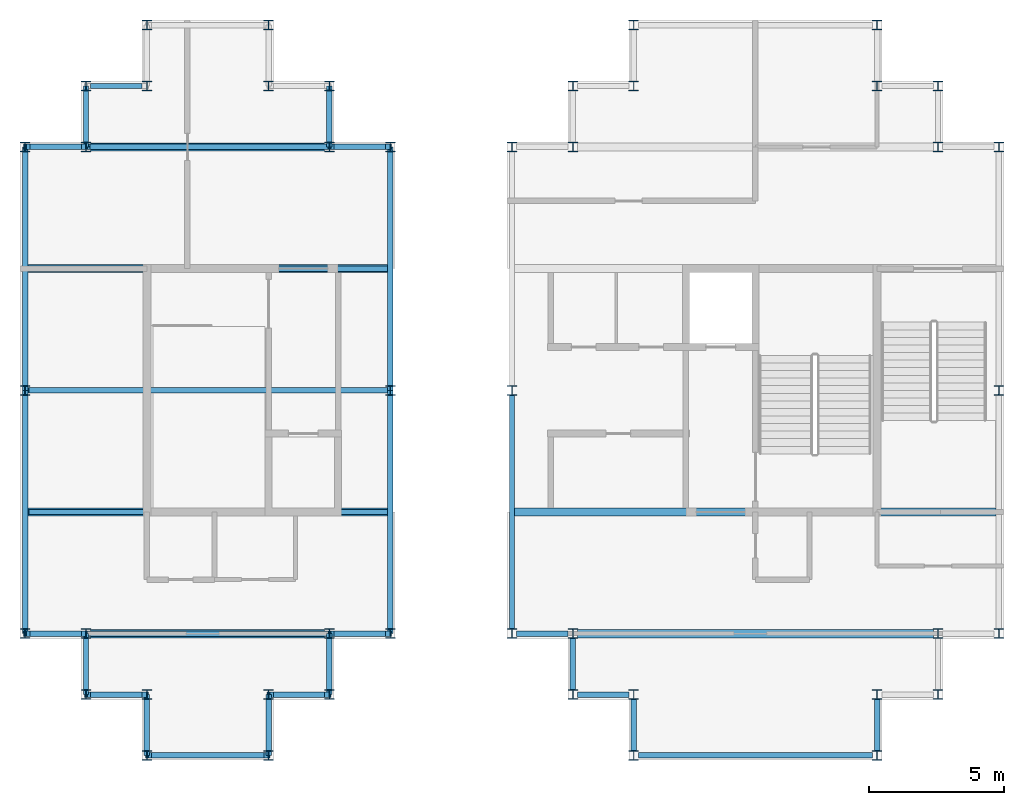
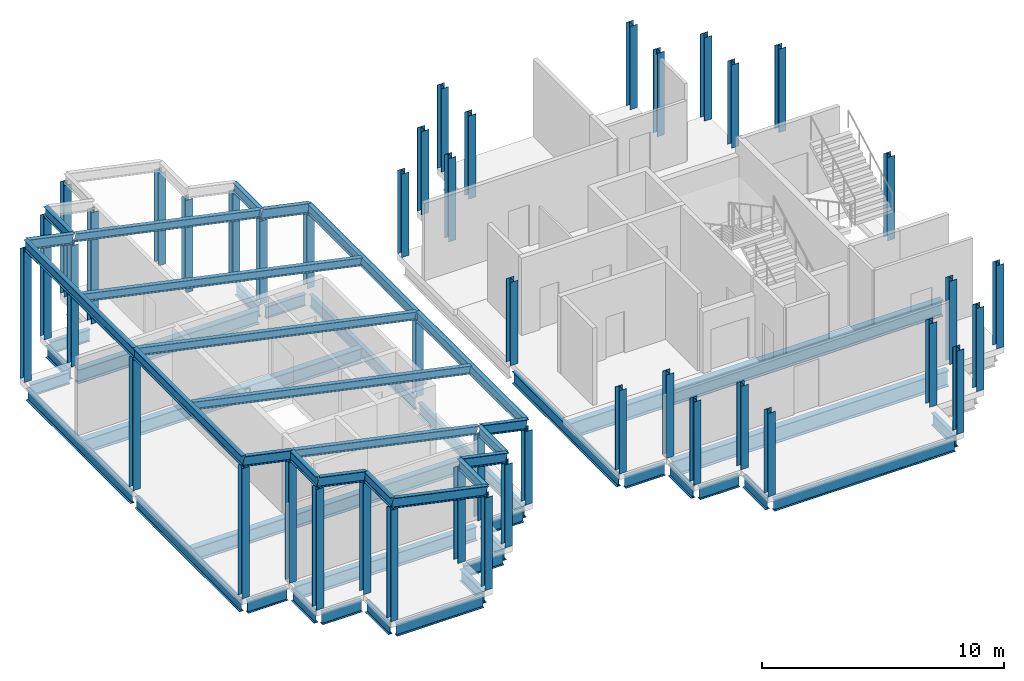
# One storey, part 1 of 6: 48 beams, 44 columns, 5 members.
"""IFC4 building model written with IfcOpenShell, lengths in metres."""

from ifc_helpers import new_model, si_unit, direction, frame, origin, origin_2d, place, context, subcontext, project, spatial, i_section, extrude, material, material_profile, profile_set, type_object, element, save


model = new_model("IFC4")

# Units and contexts
model_context = context("Model", 3, precision=1e-05, world=origin(), true_north=direction((0.0, 1.0)))
body_context = subcontext(model_context, "Body", "Model", "MODEL_VIEW")
ifc_project = project(units=[si_unit("LENGTHUNIT", "METRE"), si_unit("AREAUNIT", "SQUARE_METRE"), si_unit("VOLUMEUNIT", "CUBIC_METRE"), si_unit("PLANEANGLEUNIT", "RADIAN"), si_unit("MASSUNIT", "GRAM", prefix="KILO")], contexts=[model_context])

# Site, building, storey
site_placement = place(None, origin())
site = spatial("IfcSite", under=ifc_project, at=site_placement, CompositionType="ELEMENT")
building_placement = place(site_placement, origin())
building = spatial("IfcBuilding", under=site, at=building_placement, Name="Caravel Reach Hotel and Residences", CompositionType="ELEMENT")
storey_placement = place(building_placement, frame((0.0, 0.0, 321.199951171875)))
storey = spatial("IfcBuildingStorey", under=building, at=storey_placement, Name="L81", CompositionType="ELEMENT", Elevation=321.199951171875)

# Columns
ifc_material_1 = material(Name="Structural steel Q355B", Category="steel")
ifc_material_profile_1 = material_profile(ifc_material_1, i_section(OverallWidth=0.35009765625, OverallDepth=0.35009765625, WebThickness=0.011962890625, FlangeThickness=0.01904296875, FilletRadius=0.012939453125, at=origin_2d()), Name="HW 350x350x12x19")
ifc_profile_set_1 = profile_set([ifc_material_profile_1], Name="Structural steel Q355B")
column_type = type_object("IfcColumnType", Name="Crown column HW 350x350x12x19", PredefinedType="COLUMN", material=ifc_profile_set_1)
for number, where, z_axis, x_axis, name in (
    (1, (45.0, 13.5, 0.0), (0.0, 0.0, 1.0), (1.0, 0.0, 0.0), "C19 column"),
    (2, (45.0, 15.75, 0.0), (0.0, 0.0, 1.0), (1.0, 0.0, 0.0), "C19 column"),
    (3, (47.25, 15.75, 0.0), (0.0, 0.0, 1.0), (1.0, 0.0, 0.0), "C19 column"),
    (4, (47.25, 18.0, 0.0), (0.0, 0.0, 1.0), (1.0, 0.0, 0.0), "C19 column"),
    (5, (49.5, 18.0, 0.0), (0.0, 0.0, 1.0), (1.0, 0.0, 0.0), "C19 column"),
    (6, (49.5, 27.0, 0.0), (0.0, 0.0, 1.0), (1.0, 0.0, 0.0), "C19 column"),
    (7, (49.5, 36.0, 0.0), (0.0, 0.0, 1.0), (1.0, 0.0, 0.0), "C19 column"),
    (8, (47.25, 36.0, 0.0), (0.0, 0.0, 1.0), (1.0, 0.0, 0.0), "C19 column"),
    (9, (47.25, 38.25, 0.0), (0.0, 0.0, 1.0), (1.0, 0.0, 0.0), "C19 column"),
    (10, (45.0, 38.25, 0.0), (0.0, 0.0, 1.0), (1.0, 0.0, 0.0), "C19 column"),
    (11, (45.0, 40.5, 0.0), (0.0, 0.0, 1.0), (1.0, 0.0, 0.0), "C19 column"),
    (12, (36.0, 40.5, 0.0), (0.0, 0.0, 1.0), (1.0, 0.0, 0.0), "C19 column"),
    (13, (36.0, 38.25, 0.0), (0.0, 0.0, 1.0), (1.0, 0.0, 0.0), "C19 column"),
    (14, (33.75, 38.25, 0.0), (0.0, 0.0, 1.0), (1.0, 0.0, 0.0), "C19 column"),
    (15, (33.75, 36.0, 0.0), (0.0, 0.0, 1.0), (1.0, 0.0, 0.0), "C19 column"),
    (16, (31.5, 36.0, 0.0), (0.0, 0.0, 1.0), (1.0, 0.0, 0.0), "C19 column"),
    (17, (31.5, 27.0, 0.0), (0.0, 0.0, 1.0), (1.0, 0.0, 0.0), "C19 column"),
    (18, (31.5, 18.0, 0.0), (0.0, 0.0, 1.0), (1.0, 0.0, 0.0), "C19 column"),
    (19, (33.75, 18.0, 0.0), (0.0, 0.0, 1.0), (1.0, 0.0, 0.0), "C19 column"),
    (20, (33.75, 15.75, 0.0), (0.0, 0.0, 1.0), (1.0, 0.0, 0.0), "C19 column"),
    (21, (36.0, 15.75, 0.0), (0.0, 0.0, 1.0), (1.0, 0.0, 0.0), "C19 column"),
    (22, (36.0, 13.5, 0.0), (0.0, 0.0, 1.0), (1.0, 0.0, 0.0), "C19 column"),
):
    element("IfcColumn", number, at=place(storey_placement, frame(where, z_axis=z_axis, x_axis=x_axis)), inside=storey, type_object=column_type, Name=name, PredefinedType="COLUMN", context=body_context, shape_type="SweptSolid", body=[
        extrude(i_section(OverallWidth=0.35009765625, OverallDepth=0.35009765625, WebThickness=0.011962890625, FlangeThickness=0.01904296875, FilletRadius=0.012939453125, at=origin_2d()), origin(), (0.0, 0.0, 1.0), 4.199951171875),
    ])
for number, where, z_axis, x_axis, name in (
    (23, (22.5, 13.5, 0.0), (0.0, 0.0, 1.0), (1.0, 0.0, 0.0), "C19 column"),
    (24, (22.5, 15.75, 0.0), (0.0, 0.0, 1.0), (1.0, 0.0, 0.0), "C19 column"),
):
    element("IfcColumn", number, at=place(storey_placement, frame(where, z_axis=z_axis, x_axis=x_axis)), inside=storey, type_object=column_type, Name=name, PredefinedType="COLUMN", context=body_context, shape_type="SweptSolid", body=[
        extrude(i_section(OverallWidth=0.35009765625, OverallDepth=0.35009765625, WebThickness=0.011962890625, FlangeThickness=0.01904296875, FilletRadius=0.012939453125, at=origin_2d()), origin(), (0.0, 0.0, 1.0), 4.656494140625),
    ])
for number, where, z_axis, x_axis, name in (
    (25, (24.75, 15.75, 0.0), (0.0, 0.0, 1.0), (1.0, 0.0, 0.0), "C19 column"),
    (26, (24.75, 18.0, 0.0), (0.0, 0.0, 1.0), (1.0, 0.0, 0.0), "C19 column"),
):
    element("IfcColumn", number, at=place(storey_placement, frame(where, z_axis=z_axis, x_axis=x_axis)), inside=storey, type_object=column_type, Name=name, PredefinedType="COLUMN", context=body_context, shape_type="SweptSolid", body=[
        extrude(i_section(OverallWidth=0.35009765625, OverallDepth=0.35009765625, WebThickness=0.011962890625, FlangeThickness=0.01904296875, FilletRadius=0.012939453125, at=origin_2d()), origin(), (0.0, 0.0, 1.0), 4.178466796875),
    ])
for number, where, z_axis, x_axis, name in (
    (27, (27.0, 18.0, 0.0), (0.0, 0.0, 1.0), (1.0, 0.0, 0.0), "C19 column"),
    (28, (27.0, 27.0, 0.0), (0.0, 0.0, 1.0), (1.0, 0.0, 0.0), "C19 column"),
    (29, (27.0, 36.0, 0.0), (0.0, 0.0, 1.0), (1.0, 0.0, 0.0), "C19 column"),
):
    element("IfcColumn", number, at=place(storey_placement, frame(where, z_axis=z_axis, x_axis=x_axis)), inside=storey, type_object=column_type, Name=name, PredefinedType="COLUMN", context=body_context, shape_type="SweptSolid", body=[
        extrude(i_section(OverallWidth=0.35009765625, OverallDepth=0.35009765625, WebThickness=0.011962890625, FlangeThickness=0.01904296875, FilletRadius=0.012939453125, at=origin_2d()), origin(), (0.0, 0.0, 1.0), 3.699951171875),
    ])
for number, where, z_axis, x_axis, name in (
    (30, (24.75, 36.0, 0.0), (0.0, 0.0, 1.0), (1.0, 0.0, 0.0), "C19 column"),
    (31, (24.75, 38.25, 0.0), (0.0, 0.0, 1.0), (1.0, 0.0, 0.0), "C19 column"),
):
    element("IfcColumn", number, at=place(storey_placement, frame(where, z_axis=z_axis, x_axis=x_axis)), inside=storey, type_object=column_type, Name=name, PredefinedType="COLUMN", context=body_context, shape_type="SweptSolid", body=[
        extrude(i_section(OverallWidth=0.35009765625, OverallDepth=0.35009765625, WebThickness=0.011962890625, FlangeThickness=0.01904296875, FilletRadius=0.012939453125, at=origin_2d()), origin(), (0.0, 0.0, 1.0), 4.178466796875),
    ])
for number, where, z_axis, x_axis, name in (
    (32, (22.5, 38.25, 0.0), (0.0, 0.0, 1.0), (1.0, 0.0, 0.0), "C19 column"),
    (33, (22.5, 40.5, 0.0), (0.0, 0.0, 1.0), (1.0, 0.0, 0.0), "C19 column"),
):
    element("IfcColumn", number, at=place(storey_placement, frame(where, z_axis=z_axis, x_axis=x_axis)), inside=storey, type_object=column_type, Name=name, PredefinedType="COLUMN", context=body_context, shape_type="SweptSolid", body=[
        extrude(i_section(OverallWidth=0.35009765625, OverallDepth=0.35009765625, WebThickness=0.011962890625, FlangeThickness=0.01904296875, FilletRadius=0.012939453125, at=origin_2d()), origin(), (0.0, 0.0, 1.0), 4.656494140625),
    ])
for number, where, z_axis, x_axis, name in (
    (34, (18.0, 40.5, 0.0), (0.0, 0.0, 1.0), (1.0, 0.0, 0.0), "C19 column"),
    (35, (18.0, 38.25, 0.0), (0.0, 0.0, 1.0), (1.0, 0.0, 0.0), "C19 column"),
):
    element("IfcColumn", number, at=place(storey_placement, frame(where, z_axis=z_axis, x_axis=x_axis)), inside=storey, type_object=column_type, Name=name, PredefinedType="COLUMN", context=body_context, shape_type="SweptSolid", body=[
        extrude(i_section(OverallWidth=0.35009765625, OverallDepth=0.35009765625, WebThickness=0.011962890625, FlangeThickness=0.01904296875, FilletRadius=0.012939453125, at=origin_2d()), origin(), (0.0, 0.0, 1.0), 5.613037109375),
    ])
for number, where, z_axis, x_axis, name in (
    (36, (15.75, 38.25, 0.0), (0.0, 0.0, 1.0), (1.0, 0.0, 0.0), "C19 column"),
    (37, (15.75, 36.0, 0.0), (0.0, 0.0, 1.0), (1.0, 0.0, 0.0), "C19 column"),
):
    element("IfcColumn", number, at=place(storey_placement, frame(where, z_axis=z_axis, x_axis=x_axis)), inside=storey, type_object=column_type, Name=name, PredefinedType="COLUMN", context=body_context, shape_type="SweptSolid", body=[
        extrude(i_section(OverallWidth=0.35009765625, OverallDepth=0.35009765625, WebThickness=0.011962890625, FlangeThickness=0.01904296875, FilletRadius=0.012939453125, at=origin_2d()), origin(), (0.0, 0.0, 1.0), 6.09130859375),
    ])
for number, where, z_axis, x_axis, name in (
    (38, (13.5, 36.0, 0.0), (0.0, 0.0, 1.0), (1.0, 0.0, 0.0), "C19 column"),
    (39, (13.5, 27.0, 0.0), (0.0, 0.0, 1.0), (1.0, 0.0, 0.0), "C19 column"),
    (40, (13.5, 18.0, 0.0), (0.0, 0.0, 1.0), (1.0, 0.0, 0.0), "C19 column"),
):
    element("IfcColumn", number, at=place(storey_placement, frame(where, z_axis=z_axis, x_axis=x_axis)), inside=storey, type_object=column_type, Name=name, PredefinedType="COLUMN", context=body_context, shape_type="SweptSolid", body=[
        extrude(i_section(OverallWidth=0.35009765625, OverallDepth=0.35009765625, WebThickness=0.011962890625, FlangeThickness=0.01904296875, FilletRadius=0.012939453125, at=origin_2d()), origin(), (0.0, 0.0, 1.0), 6.569580078125),
    ])
for number, where, z_axis, x_axis, name in (
    (41, (15.75, 18.0, 0.0), (0.0, 0.0, 1.0), (1.0, 0.0, 0.0), "C19 column"),
    (42, (15.75, 15.75, 0.0), (0.0, 0.0, 1.0), (1.0, 0.0, 0.0), "C19 column"),
):
    element("IfcColumn", number, at=place(storey_placement, frame(where, z_axis=z_axis, x_axis=x_axis)), inside=storey, type_object=column_type, Name=name, PredefinedType="COLUMN", context=body_context, shape_type="SweptSolid", body=[
        extrude(i_section(OverallWidth=0.35009765625, OverallDepth=0.35009765625, WebThickness=0.011962890625, FlangeThickness=0.01904296875, FilletRadius=0.012939453125, at=origin_2d()), origin(), (0.0, 0.0, 1.0), 6.09130859375),
    ])
for number, where, z_axis, x_axis, name in (
    (43, (18.0, 15.75, 0.0), (0.0, 0.0, 1.0), (1.0, 0.0, 0.0), "C19 column"),
    (44, (18.0, 13.5, 0.0), (0.0, 0.0, 1.0), (1.0, 0.0, 0.0), "C19 column"),
):
    element("IfcColumn", number, at=place(storey_placement, frame(where, z_axis=z_axis, x_axis=x_axis)), inside=storey, type_object=column_type, Name=name, PredefinedType="COLUMN", context=body_context, shape_type="SweptSolid", body=[
        extrude(i_section(OverallWidth=0.35009765625, OverallDepth=0.35009765625, WebThickness=0.011962890625, FlangeThickness=0.01904296875, FilletRadius=0.012939453125, at=origin_2d()), origin(), (0.0, 0.0, 1.0), 5.613037109375),
    ])

# Beams
ifc_material_2 = material(Name="Structural steel Q355B", Category="steel")
ifc_material_profile_2 = material_profile(ifc_material_2, i_section(OverallWidth=0.300048828125, OverallDepth=0.699951171875, WebThickness=0.012939453125, FlangeThickness=0.02392578125, FilletRadius=0.01806640625, at=origin_2d()), Name="HN 700x300x13x24")
ifc_profile_set_2 = profile_set([ifc_material_profile_2], Name="Structural steel Q355B")
beam_type_1 = type_object("IfcBeamType", Name="Beam HN 700x300x13x24", PredefinedType="BEAM", material=ifc_profile_set_2)
beam_1_placement = place(storey_placement, frame((15.925048828125, 18.0, -0.64990234375), z_axis=(1.0, 0.0, 0.0), x_axis=(0.0, 1.0, 0.0)))
element("IfcBeam", 45, at=beam_1_placement, inside=storey, type_object=beam_type_1, Name="B2 HN 700x300x13x24", PredefinedType="BEAM", context=body_context, shape_type="SweptSolid", body=[
    extrude(i_section(OverallWidth=0.300048828125, OverallDepth=0.699951171875, WebThickness=0.012939453125, FlangeThickness=0.02392578125, FilletRadius=0.01806640625, at=origin_2d()), origin(), (0.0, 0.0, 1.0), 8.64990234375),
])
for number, where, z_axis, x_axis, name in (
    (46, (13.60009765625, 22.5, -0.64990234375), (1.0, 0.0, 0.0), (0.0, 1.0, 0.0), "B2 HN 700x300x13x24"),
    (47, (13.60009765625, 31.5, -0.64990234375), (1.0, 0.0, 0.0), (0.0, 1.0, 0.0), "B2 HN 700x300x13x24"),
):
    element("IfcBeam", number, at=place(storey_placement, frame(where, z_axis=z_axis, x_axis=x_axis)), inside=storey, type_object=beam_type_1, Name=name, PredefinedType="BEAM", context=body_context, shape_type="SweptSolid", body=[
        extrude(i_section(OverallWidth=0.300048828125, OverallDepth=0.699951171875, WebThickness=0.012939453125, FlangeThickness=0.02392578125, FilletRadius=0.01806640625, at=origin_2d()), origin(), (0.0, 0.0, 1.0), 13.2998046875),
    ])
beam_2_placement = place(storey_placement, frame((15.925048828125, 36.0, -0.64990234375), z_axis=(1.0, 0.0, 0.0), x_axis=(0.0, 1.0, 0.0)))
element("IfcBeam", 48, at=beam_2_placement, inside=storey, type_object=beam_type_1, Name="B2 HN 700x300x13x24", PredefinedType="BEAM", context=body_context, shape_type="SweptSolid", body=[
    extrude(i_section(OverallWidth=0.300048828125, OverallDepth=0.699951171875, WebThickness=0.012939453125, FlangeThickness=0.02392578125, FilletRadius=0.01806640625, at=origin_2d()), origin(), (0.0, 0.0, 1.0), 8.64990234375),
])
ifc_material_3 = material(Name="Structural steel Q355B", Category="steel")
ifc_material_profile_3 = material_profile(ifc_material_3, i_section(OverallWidth=0.300048828125, OverallDepth=0.800048828125, WebThickness=0.013916015625, FlangeThickness=0.02587890625, FilletRadius=0.01806640625, at=origin_2d()), Name="HN 800x300x14x26")
ifc_profile_set_3 = profile_set([ifc_material_profile_3], Name="Structural steel Q355B")
beam_type_2 = type_object("IfcBeamType", Name="Beam HN 800x300x14x26", PredefinedType="BEAM", material=ifc_profile_set_3)
beam_3_placement = place(storey_placement, frame((33.925048828125, 18.0, -0.699951171875), z_axis=(1.0, 0.0, 0.0), x_axis=(0.0, 1.0, 0.0)))
element("IfcBeam", 49, at=beam_3_placement, inside=storey, type_object=beam_type_2, Name="B4 HN 800x300x14x26", PredefinedType="BEAM", context=body_context, shape_type="SweptSolid", body=[
    extrude(i_section(OverallWidth=0.300048828125, OverallDepth=0.800048828125, WebThickness=0.013916015625, FlangeThickness=0.02587890625, FilletRadius=0.01806640625, at=origin_2d()), origin(), (0.0, 0.0, 1.0), 13.14990234375),
])
beam_4_placement = place(storey_placement, frame((31.60009765625, 22.5, -0.699951171875), z_axis=(1.0, 0.0, 0.0), x_axis=(0.0, 1.0, 0.0)))
element("IfcBeam", 50, at=beam_4_placement, inside=storey, type_object=beam_type_2, Name="B4 HN 800x300x14x26", PredefinedType="BEAM", context=body_context, shape_type="SweptSolid", body=[
    extrude(i_section(OverallWidth=0.300048828125, OverallDepth=0.800048828125, WebThickness=0.013916015625, FlangeThickness=0.02587890625, FilletRadius=0.01806640625, at=origin_2d()), origin(), (0.0, 0.0, 1.0), 17.7998046875),
])
ifc_material_4 = material(Name="Structural steel Q355B", Category="steel")
ifc_material_profile_4 = material_profile(ifc_material_4, i_section(OverallWidth=0.199951171875, OverallDepth=0.5, WebThickness=0.010009765625, FlangeThickness=0.01611328125, FilletRadius=0.012939453125, at=origin_2d()), Name="HN 500x200x10x16")
ifc_profile_set_4 = profile_set([ifc_material_profile_4], Name="Structural steel Q355B")
beam_type_3 = type_object("IfcBeamType", Name="Edge beam HN 500x200x10x16", PredefinedType="USERDEFINED", material=ifc_profile_set_4)
beam_5_placement = place(storey_placement, frame((22.5, 13.5, 4.906494140625), z_axis=(0.0, 1.0, 0.0), x_axis=(-1.0, 0.0, 0.0)))
element("IfcBeam", 51, at=beam_5_placement, inside=storey, type_object=beam_type_3, Name="EB3 HN 500x200x10x16", ObjectType="Edge beam", PredefinedType="USERDEFINED", context=body_context, shape_type="SweptSolid", body=[
    extrude(i_section(OverallWidth=0.199951171875, OverallDepth=0.5, WebThickness=0.010009765625, FlangeThickness=0.01611328125, FilletRadius=0.012939453125, at=origin_2d()), origin(), (0.0, 0.0, 1.0), 2.25),
])
beam_6_placement = place(storey_placement, frame((22.5, 15.75, 4.906494140625), z_axis=(0.978167482015, 0.0, -0.207818134742), x_axis=(0.0, 1.0, 0.0)))
element("IfcBeam", 52, at=beam_6_placement, inside=storey, type_object=beam_type_3, Name="EB3 HN 500x200x10x16", ObjectType="Edge beam", PredefinedType="USERDEFINED", context=body_context, shape_type="SweptSolid", body=[
    extrude(i_section(OverallWidth=0.199951171875, OverallDepth=0.5, WebThickness=0.010009765625, FlangeThickness=0.01611328125, FilletRadius=0.012939453125, at=origin_2d()), origin(), (0.0, 0.0, 1.0), 2.30029296875),
])
beam_7_placement = place(storey_placement, frame((24.75, 15.75, 4.428466796875), z_axis=(0.0, 1.0, 0.0), x_axis=(-1.0, 0.0, 0.0)))
element("IfcBeam", 53, at=beam_7_placement, inside=storey, type_object=beam_type_3, Name="EB3 HN 500x200x10x16", ObjectType="Edge beam", PredefinedType="USERDEFINED", context=body_context, shape_type="SweptSolid", body=[
    extrude(i_section(OverallWidth=0.199951171875, OverallDepth=0.5, WebThickness=0.010009765625, FlangeThickness=0.01611328125, FilletRadius=0.012939453125, at=origin_2d()), origin(), (0.0, 0.0, 1.0), 2.25),
])
beam_8_placement = place(storey_placement, frame((24.75, 18.0, 4.428466796875), z_axis=(0.978124311184, 0.0, -0.208021229375), x_axis=(0.0, 1.0, 0.0)))
element("IfcBeam", 54, at=beam_8_placement, inside=storey, type_object=beam_type_3, Name="EB3 HN 500x200x10x16", ObjectType="Edge beam", PredefinedType="USERDEFINED", context=body_context, shape_type="SweptSolid", body=[
    extrude(i_section(OverallWidth=0.199951171875, OverallDepth=0.5, WebThickness=0.010009765625, FlangeThickness=0.01611328125, FilletRadius=0.012939453125, at=origin_2d()), origin(), (0.0, 0.0, 1.0), 2.30029296875),
])
for number, where, z_axis, x_axis, name in (
    (55, (27.0, 18.0, 3.949951171875), (0.0, 1.0, 0.0), (-1.0, 0.0, 0.0), "EB3 HN 500x200x10x16"),
    (56, (27.0, 27.0, 3.949951171875), (0.0, 1.0, 0.0), (-1.0, 0.0, 0.0), "EB3 HN 500x200x10x16"),
):
    element("IfcBeam", number, at=place(storey_placement, frame(where, z_axis=z_axis, x_axis=x_axis)), inside=storey, type_object=beam_type_3, Name=name, ObjectType="Edge beam", PredefinedType="USERDEFINED", context=body_context, shape_type="SweptSolid", body=[
        extrude(i_section(OverallWidth=0.199951171875, OverallDepth=0.5, WebThickness=0.010009765625, FlangeThickness=0.01611328125, FilletRadius=0.012939453125, at=origin_2d()), origin(), (0.0, 0.0, 1.0), 9.0),
    ])
beam_9_placement = place(storey_placement, frame((27.0, 36.0, 3.949951171875), z_axis=(-0.978124311184, 0.0, 0.208021229375), x_axis=(0.0, -1.0, 0.0)))
element("IfcBeam", 57, at=beam_9_placement, inside=storey, type_object=beam_type_3, Name="EB3 HN 500x200x10x16", ObjectType="Edge beam", PredefinedType="USERDEFINED", context=body_context, shape_type="SweptSolid", body=[
    extrude(i_section(OverallWidth=0.199951171875, OverallDepth=0.5, WebThickness=0.010009765625, FlangeThickness=0.01611328125, FilletRadius=0.012939453125, at=origin_2d()), origin(), (0.0, 0.0, 1.0), 2.30029296875),
])
for number, where, z_axis, x_axis, name in (
    (58, (24.75, 36.0, 4.428466796875), (0.0, 1.0, 0.0), (-1.0, 0.0, 0.0), "EB3 HN 500x200x10x16"),
    (59, (15.75, 38.25, 6.34130859375), (0.0, -1.0, 0.0), (1.0, 0.0, 0.0), "EB3 HN 500x200x10x16"),
):
    element("IfcBeam", number, at=place(storey_placement, frame(where, z_axis=z_axis, x_axis=x_axis)), inside=storey, type_object=beam_type_3, Name=name, ObjectType="Edge beam", PredefinedType="USERDEFINED", context=body_context, shape_type="SweptSolid", body=[
        extrude(i_section(OverallWidth=0.199951171875, OverallDepth=0.5, WebThickness=0.010009765625, FlangeThickness=0.01611328125, FilletRadius=0.012939453125, at=origin_2d()), origin(), (0.0, 0.0, 1.0), 2.25),
    ])
beam_10_placement = place(storey_placement, frame((15.75, 36.0, 6.34130859375), z_axis=(-0.978145901394, 0.0, 0.20791968542), x_axis=(0.0, -1.0, 0.0)))
element("IfcBeam", 60, at=beam_10_placement, inside=storey, type_object=beam_type_3, Name="EB3 HN 500x200x10x16", ObjectType="Edge beam", PredefinedType="USERDEFINED", context=body_context, shape_type="SweptSolid", body=[
    extrude(i_section(OverallWidth=0.199951171875, OverallDepth=0.5, WebThickness=0.010009765625, FlangeThickness=0.01611328125, FilletRadius=0.012939453125, at=origin_2d()), origin(), (0.0, 0.0, 1.0), 2.30029296875),
])
for number, where, z_axis, x_axis, name in (
    (61, (13.5, 36.0, 6.819580078125), (0.0, -1.0, 0.0), (1.0, 0.0, 0.0), "EB3 HN 500x200x10x16"),
    (62, (13.5, 27.0, 6.819580078125), (0.0, -1.0, 0.0), (1.0, 0.0, 0.0), "EB3 HN 500x200x10x16"),
):
    element("IfcBeam", number, at=place(storey_placement, frame(where, z_axis=z_axis, x_axis=x_axis)), inside=storey, type_object=beam_type_3, Name=name, ObjectType="Edge beam", PredefinedType="USERDEFINED", context=body_context, shape_type="SweptSolid", body=[
        extrude(i_section(OverallWidth=0.199951171875, OverallDepth=0.5, WebThickness=0.010009765625, FlangeThickness=0.01611328125, FilletRadius=0.012939453125, at=origin_2d()), origin(), (0.0, 0.0, 1.0), 9.0),
    ])
beam_11_placement = place(storey_placement, frame((13.5, 18.0, 6.819580078125), z_axis=(0.978145901394, 0.0, -0.20791968542), x_axis=(0.0, 1.0, 0.0)))
element("IfcBeam", 63, at=beam_11_placement, inside=storey, type_object=beam_type_3, Name="EB3 HN 500x200x10x16", ObjectType="Edge beam", PredefinedType="USERDEFINED", context=body_context, shape_type="SweptSolid", body=[
    extrude(i_section(OverallWidth=0.199951171875, OverallDepth=0.5, WebThickness=0.010009765625, FlangeThickness=0.01611328125, FilletRadius=0.012939453125, at=origin_2d()), origin(), (0.0, 0.0, 1.0), 2.30029296875),
])
beam_12_placement = place(storey_placement, frame((15.75, 18.0, 6.34130859375), z_axis=(0.0, -1.0, 0.0), x_axis=(1.0, 0.0, 0.0)))
element("IfcBeam", 64, at=beam_12_placement, inside=storey, type_object=beam_type_3, Name="EB3 HN 500x200x10x16", ObjectType="Edge beam", PredefinedType="USERDEFINED", context=body_context, shape_type="SweptSolid", body=[
    extrude(i_section(OverallWidth=0.199951171875, OverallDepth=0.5, WebThickness=0.010009765625, FlangeThickness=0.01611328125, FilletRadius=0.012939453125, at=origin_2d()), origin(), (0.0, 0.0, 1.0), 2.25),
])
beam_13_placement = place(storey_placement, frame((15.75, 15.75, 6.34130859375), z_axis=(0.978145901394, 0.0, -0.20791968542), x_axis=(0.0, 1.0, 0.0)))
element("IfcBeam", 65, at=beam_13_placement, inside=storey, type_object=beam_type_3, Name="EB3 HN 500x200x10x16", ObjectType="Edge beam", PredefinedType="USERDEFINED", context=body_context, shape_type="SweptSolid", body=[
    extrude(i_section(OverallWidth=0.199951171875, OverallDepth=0.5, WebThickness=0.010009765625, FlangeThickness=0.01611328125, FilletRadius=0.012939453125, at=origin_2d()), origin(), (0.0, 0.0, 1.0), 2.30029296875),
])
beam_14_placement = place(storey_placement, frame((18.0, 15.75, 5.863037109375), z_axis=(0.0, -1.0, 0.0), x_axis=(1.0, 0.0, 0.0)))
element("IfcBeam", 66, at=beam_14_placement, inside=storey, type_object=beam_type_3, Name="EB3 HN 500x200x10x16", ObjectType="Edge beam", PredefinedType="USERDEFINED", context=body_context, shape_type="SweptSolid", body=[
    extrude(i_section(OverallWidth=0.199951171875, OverallDepth=0.5, WebThickness=0.010009765625, FlangeThickness=0.01611328125, FilletRadius=0.012939453125, at=origin_2d()), origin(), (0.0, 0.0, 1.0), 2.25),
])
beam_15_placement = place(storey_placement, frame((18.0, 13.5, 5.863037109375), z_axis=(0.978145901394, 0.0, -0.20791968542), x_axis=(0.0, 1.0, 0.0)))
element("IfcBeam", 67, at=beam_15_placement, inside=storey, type_object=beam_type_3, Name="EB3 HN 500x200x10x16", ObjectType="Edge beam", PredefinedType="USERDEFINED", context=body_context, shape_type="SweptSolid", body=[
    extrude(i_section(OverallWidth=0.199951171875, OverallDepth=0.5, WebThickness=0.010009765625, FlangeThickness=0.01611328125, FilletRadius=0.012939453125, at=origin_2d()), origin(), (0.0, 0.0, 1.0), 4.6005859375),
])

# Members
ifc_material_5 = material(Name="Structural steel Q355B", Category="steel")
ifc_material_profile_5 = material_profile(ifc_material_5, i_section(OverallWidth=0.199951171875, OverallDepth=0.39990234375, WebThickness=0.008056640625, FlangeThickness=0.012939453125, FilletRadius=0.012939453125, at=origin_2d()), Name="HN 400x200x8x13")
ifc_profile_set_5 = profile_set([ifc_material_profile_5], Name="Structural steel Q355B")
member_type = type_object("IfcMemberType", Name="Rafter HN 400x200x8x13", PredefinedType="RAFTER", material=ifc_profile_set_5)
member_1_placement = place(storey_placement, frame((15.85009765625, 18.0, 6.3701171875), z_axis=(0.978144226945, 0.0, -0.207927562614), x_axis=(0.0, 1.0, 0.0)))
element("IfcMember", 68, at=member_1_placement, inside=storey, type_object=member_type, Name="B6 rafter", PredefinedType="RAFTER", context=body_context, shape_type="SweptSolid", body=[
    extrude(i_section(OverallWidth=0.199951171875, OverallDepth=0.39990234375, WebThickness=0.008056640625, FlangeThickness=0.012939453125, FilletRadius=0.012939453125, at=origin_2d()), origin(), (0.0, 0.0, 1.0), 8.996337890625),
])
for number, where, z_axis, x_axis, name in (
    (69, (13.60009765625, 22.5, 6.848388671875), (0.978144793503, 0.0, -0.207924897363), (0.0, 1.0, 0.0), "B6 rafter"),
    (70, (13.60009765625, 27.0, 6.848388671875), (0.978144793503, 0.0, -0.207924897363), (0.0, 1.0, 0.0), "B6 rafter"),
    (71, (13.60009765625, 31.5, 6.848388671875), (0.978144793503, 0.0, -0.207924897363), (0.0, 1.0, 0.0), "B6 rafter"),
):
    element("IfcMember", number, at=place(storey_placement, frame(where, z_axis=z_axis, x_axis=x_axis)), inside=storey, type_object=member_type, Name=name, PredefinedType="RAFTER", context=body_context, shape_type="SweptSolid", body=[
        extrude(i_section(OverallWidth=0.199951171875, OverallDepth=0.39990234375, WebThickness=0.008056640625, FlangeThickness=0.012939453125, FilletRadius=0.012939453125, at=origin_2d()), origin(), (0.0, 0.0, 1.0), 13.596923828125),
    ])
member_2_placement = place(storey_placement, frame((15.85009765625, 36.0, 6.3701171875), z_axis=(0.978144226945, 0.0, -0.207927562614), x_axis=(0.0, 1.0, 0.0)))
element("IfcMember", 72, at=member_2_placement, inside=storey, type_object=member_type, Name="B6 rafter", PredefinedType="RAFTER", context=body_context, shape_type="SweptSolid", body=[
    extrude(i_section(OverallWidth=0.199951171875, OverallDepth=0.39990234375, WebThickness=0.008056640625, FlangeThickness=0.012939453125, FilletRadius=0.012939453125, at=origin_2d()), origin(), (0.0, 0.0, 1.0), 8.996337890625),
])

# Beams
ifc_material_6 = material(Name="Structural steel Q355B", Category="steel")
ifc_material_profile_6 = material_profile(ifc_material_6, i_section(OverallWidth=0.199951171875, OverallDepth=0.60009765625, WebThickness=0.010986328125, FlangeThickness=0.01708984375, FilletRadius=0.012939453125, at=origin_2d()), Name="HN 600x200x11x17")
ifc_profile_set_6 = profile_set([ifc_material_profile_6], Name="Structural steel Q355B")
beam_type_4 = type_object("IfcBeamType", Name="Spandrel beam HN 600x200x11x17", PredefinedType="SPANDREL", material=ifc_profile_set_6)
beam_16_placement = place(storey_placement, frame((45.0, 13.675048828125, -0.599853515625), z_axis=(0.0, 1.0, 0.0), x_axis=(-1.0, 0.0, 0.0)))
element("IfcBeam", 73, at=beam_16_placement, inside=storey, type_object=beam_type_4, Name="SP1 HN 600x200x11x17", PredefinedType="SPANDREL", context=body_context, shape_type="SweptSolid", body=[
    extrude(i_section(OverallWidth=0.199951171875, OverallDepth=0.60009765625, WebThickness=0.010986328125, FlangeThickness=0.01708984375, FilletRadius=0.012939453125, at=origin_2d()), origin(), (0.0, 0.0, 1.0), 1.89990234375),
])
beam_17_placement = place(storey_placement, frame((31.5, 26.824951171875, -0.599853515625), z_axis=(0.0, -1.0, 0.0), x_axis=(1.0, 0.0, 0.0)))
element("IfcBeam", 74, at=beam_17_placement, inside=storey, type_object=beam_type_4, Name="SP1 HN 600x200x11x17", PredefinedType="SPANDREL", context=body_context, shape_type="SweptSolid", body=[
    extrude(i_section(OverallWidth=0.199951171875, OverallDepth=0.60009765625, WebThickness=0.010986328125, FlangeThickness=0.01708984375, FilletRadius=0.012939453125, at=origin_2d()), origin(), (0.0, 0.0, 1.0), 8.64990234375),
])
for number, where, z_axis, x_axis, name in (
    (75, (31.675048828125, 18.0, -0.599853515625), (1.0, 0.0, 0.0), (0.0, 1.0, 0.0), "SP1 HN 600x200x11x17"),
    (76, (33.75, 17.824951171875, -0.599853515625), (0.0, -1.0, 0.0), (1.0, 0.0, 0.0), "SP1 HN 600x200x11x17"),
    (77, (33.925048828125, 15.75, -0.599853515625), (1.0, 0.0, 0.0), (0.0, 1.0, 0.0), "SP1 HN 600x200x11x17"),
    (78, (36.0, 15.574951171875, -0.599853515625), (0.0, -1.0, 0.0), (1.0, 0.0, 0.0), "SP1 HN 600x200x11x17"),
):
    element("IfcBeam", number, at=place(storey_placement, frame(where, z_axis=z_axis, x_axis=x_axis)), inside=storey, type_object=beam_type_4, Name=name, PredefinedType="SPANDREL", context=body_context, shape_type="SweptSolid", body=[
        extrude(i_section(OverallWidth=0.199951171875, OverallDepth=0.60009765625, WebThickness=0.010986328125, FlangeThickness=0.01708984375, FilletRadius=0.012939453125, at=origin_2d()), origin(), (0.0, 0.0, 1.0), 1.89990234375),
    ])
beam_18_placement = place(storey_placement, frame((36.175048828125, 13.5, -0.599853515625), z_axis=(1.0, 0.0, 0.0), x_axis=(0.0, 1.0, 0.0)))
element("IfcBeam", 79, at=beam_18_placement, inside=storey, type_object=beam_type_4, Name="SP1 HN 600x200x11x17", PredefinedType="SPANDREL", context=body_context, shape_type="SweptSolid", body=[
    extrude(i_section(OverallWidth=0.199951171875, OverallDepth=0.60009765625, WebThickness=0.010986328125, FlangeThickness=0.01708984375, FilletRadius=0.012939453125, at=origin_2d()), origin(), (0.0, 0.0, 1.0), 8.64990234375),
])
for number, where, z_axis, x_axis, name in (
    (80, (22.5, 13.675048828125, -0.599853515625), (0.0, 1.0, 0.0), (-1.0, 0.0, 0.0), "SP1 HN 600x200x11x17"),
    (81, (22.675048828125, 15.75, -0.599853515625), (1.0, 0.0, 0.0), (0.0, 1.0, 0.0), "SP1 HN 600x200x11x17"),
    (82, (24.75, 15.925048828125, -0.599853515625), (0.0, 1.0, 0.0), (-1.0, 0.0, 0.0), "SP1 HN 600x200x11x17"),
    (83, (24.925048828125, 18.0, -0.599853515625), (1.0, 0.0, 0.0), (0.0, 1.0, 0.0), "SP1 HN 600x200x11x17"),
):
    element("IfcBeam", number, at=place(storey_placement, frame(where, z_axis=z_axis, x_axis=x_axis)), inside=storey, type_object=beam_type_4, Name=name, PredefinedType="SPANDREL", context=body_context, shape_type="SweptSolid", body=[
        extrude(i_section(OverallWidth=0.199951171875, OverallDepth=0.60009765625, WebThickness=0.010986328125, FlangeThickness=0.01708984375, FilletRadius=0.012939453125, at=origin_2d()), origin(), (0.0, 0.0, 1.0), 1.89990234375),
    ])
for number, where, z_axis, x_axis, name in (
    (84, (27.0, 18.175048828125, -0.599853515625), (0.0, 1.0, 0.0), (-1.0, 0.0, 0.0), "SP1 HN 600x200x11x17"),
    (85, (27.0, 27.175048828125, -0.599853515625), (0.0, 1.0, 0.0), (-1.0, 0.0, 0.0), "SP1 HN 600x200x11x17"),
):
    element("IfcBeam", number, at=place(storey_placement, frame(where, z_axis=z_axis, x_axis=x_axis)), inside=storey, type_object=beam_type_4, Name=name, PredefinedType="SPANDREL", context=body_context, shape_type="SweptSolid", body=[
        extrude(i_section(OverallWidth=0.199951171875, OverallDepth=0.60009765625, WebThickness=0.010986328125, FlangeThickness=0.01708984375, FilletRadius=0.012939453125, at=origin_2d()), origin(), (0.0, 0.0, 1.0), 8.64990234375),
    ])
for number, where, z_axis, x_axis, name in (
    (86, (26.824951171875, 36.0, -0.599853515625), (-1.0, 0.0, 0.0), (0.0, -1.0, 0.0), "SP1 HN 600x200x11x17"),
    (87, (24.75, 36.175048828125, -0.599853515625), (0.0, 1.0, 0.0), (-1.0, 0.0, 0.0), "SP1 HN 600x200x11x17"),
    (88, (17.824951171875, 38.25, -0.599853515625), (-1.0, 0.0, 0.0), (0.0, -1.0, 0.0), "SP1 HN 600x200x11x17"),
    (89, (15.75, 38.074951171875, -0.599853515625), (0.0, -1.0, 0.0), (1.0, 0.0, 0.0), "SP1 HN 600x200x11x17"),
    (90, (15.574951171875, 36.0, -0.599853515625), (-1.0, 0.0, 0.0), (0.0, -1.0, 0.0), "SP1 HN 600x200x11x17"),
):
    element("IfcBeam", number, at=place(storey_placement, frame(where, z_axis=z_axis, x_axis=x_axis)), inside=storey, type_object=beam_type_4, Name=name, PredefinedType="SPANDREL", context=body_context, shape_type="SweptSolid", body=[
        extrude(i_section(OverallWidth=0.199951171875, OverallDepth=0.60009765625, WebThickness=0.010986328125, FlangeThickness=0.01708984375, FilletRadius=0.012939453125, at=origin_2d()), origin(), (0.0, 0.0, 1.0), 1.89990234375),
    ])
for number, where, z_axis, x_axis, name in (
    (91, (13.5, 35.824951171875, -0.599853515625), (0.0, -1.0, 0.0), (1.0, 0.0, 0.0), "SP1 HN 600x200x11x17"),
    (92, (13.5, 26.824951171875, -0.599853515625), (0.0, -1.0, 0.0), (1.0, 0.0, 0.0), "SP1 HN 600x200x11x17"),
):
    element("IfcBeam", number, at=place(storey_placement, frame(where, z_axis=z_axis, x_axis=x_axis)), inside=storey, type_object=beam_type_4, Name=name, PredefinedType="SPANDREL", context=body_context, shape_type="SweptSolid", body=[
        extrude(i_section(OverallWidth=0.199951171875, OverallDepth=0.60009765625, WebThickness=0.010986328125, FlangeThickness=0.01708984375, FilletRadius=0.012939453125, at=origin_2d()), origin(), (0.0, 0.0, 1.0), 8.64990234375),
    ])
for number, where, z_axis, x_axis, name in (
    (93, (13.675048828125, 18.0, -0.599853515625), (1.0, 0.0, 0.0), (0.0, 1.0, 0.0), "SP1 HN 600x200x11x17"),
    (94, (15.75, 17.824951171875, -0.599853515625), (0.0, -1.0, 0.0), (1.0, 0.0, 0.0), "SP1 HN 600x200x11x17"),
    (95, (15.925048828125, 15.75, -0.599853515625), (1.0, 0.0, 0.0), (0.0, 1.0, 0.0), "SP1 HN 600x200x11x17"),
    (96, (18.0, 15.574951171875, -0.599853515625), (0.0, -1.0, 0.0), (1.0, 0.0, 0.0), "SP1 HN 600x200x11x17"),
):
    element("IfcBeam", number, at=place(storey_placement, frame(where, z_axis=z_axis, x_axis=x_axis)), inside=storey, type_object=beam_type_4, Name=name, PredefinedType="SPANDREL", context=body_context, shape_type="SweptSolid", body=[
        extrude(i_section(OverallWidth=0.199951171875, OverallDepth=0.60009765625, WebThickness=0.010986328125, FlangeThickness=0.01708984375, FilletRadius=0.012939453125, at=origin_2d()), origin(), (0.0, 0.0, 1.0), 1.89990234375),
    ])
beam_19_placement = place(storey_placement, frame((18.175048828125, 13.5, -0.599853515625), z_axis=(1.0, 0.0, 0.0), x_axis=(0.0, 1.0, 0.0)))
element("IfcBeam", 97, at=beam_19_placement, inside=storey, type_object=beam_type_4, Name="SP1 HN 600x200x11x17", PredefinedType="SPANDREL", context=body_context, shape_type="SweptSolid", body=[
    extrude(i_section(OverallWidth=0.199951171875, OverallDepth=0.60009765625, WebThickness=0.010986328125, FlangeThickness=0.01708984375, FilletRadius=0.012939453125, at=origin_2d()), origin(), (0.0, 0.0, 1.0), 4.14990234375),
])

save(model, "model.ifc")
